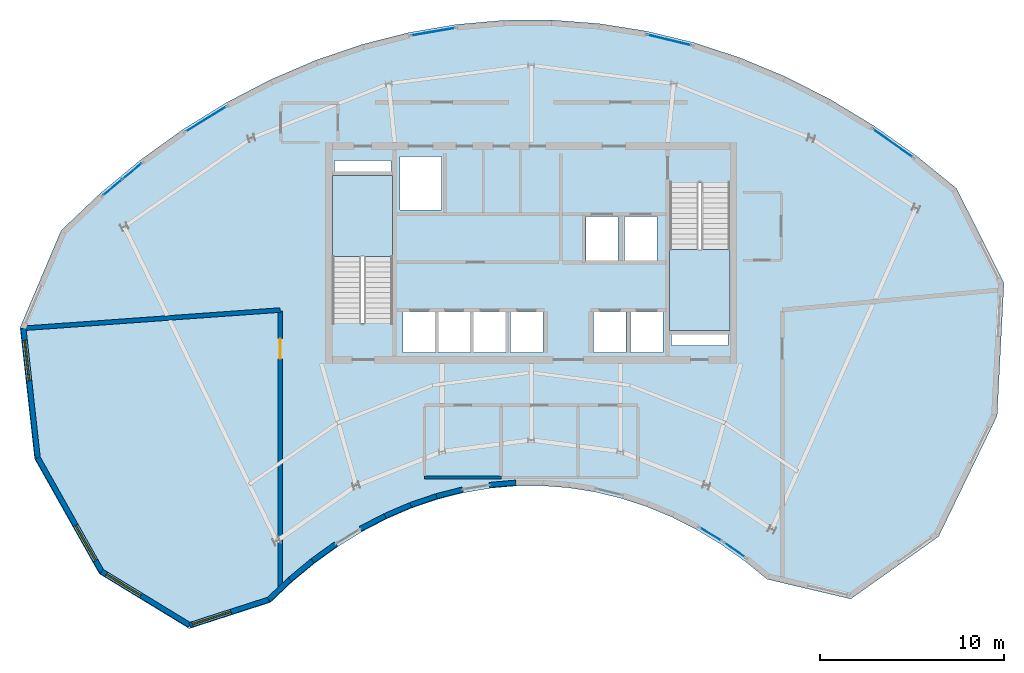
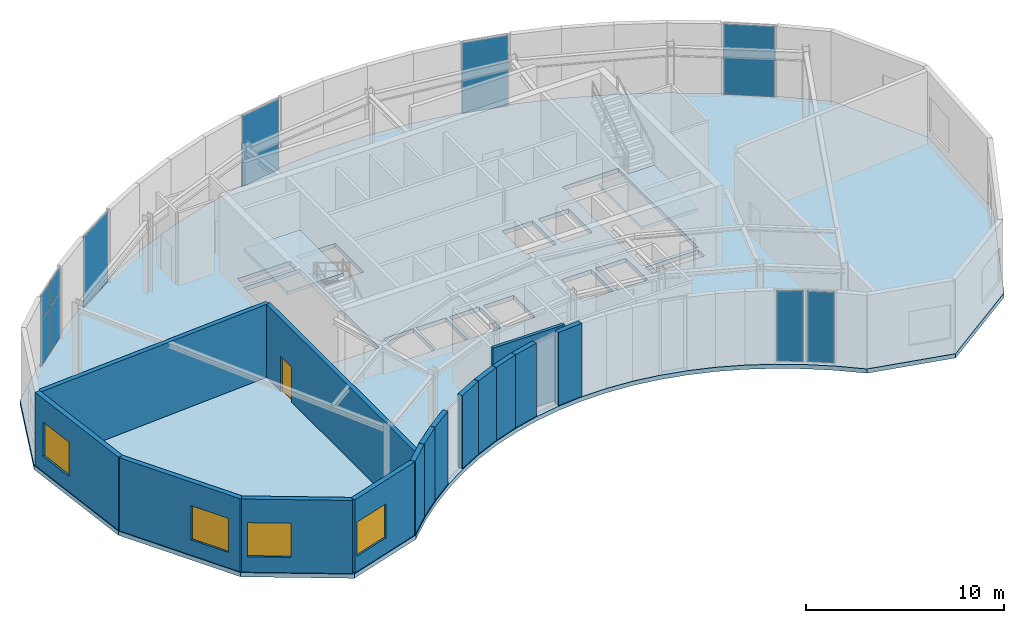
# One storey, part 5 of 10: 15 walls, 10 plates, 4 windows, 3 slabs, 1 door, 5 openings, 9 elements without a shape of their own.
"""IFC4 building model written with IfcOpenShell, lengths in metres."""

from ifc_helpers import new_model, si_unit, direction, frame, frame_2d, origin, origin_2d, place, context, subcontext, project, spatial, polyline, rectangle, outline, extrude, source, transform, mapped, material, layer, layer_set, type_object, type_shapes, element, fill, aggregate, save


model = new_model("IFC4")

# Units and contexts
model_context = context("Model", 3, precision=1e-05, world=origin(), true_north=direction((0.0, 1.0)))
body_context = subcontext(model_context, "Body", "Model", "MODEL_VIEW")
ifc_project = project(units=[si_unit("LENGTHUNIT", "METRE"), si_unit("AREAUNIT", "SQUARE_METRE"), si_unit("VOLUMEUNIT", "CUBIC_METRE"), si_unit("PLANEANGLEUNIT", "RADIAN"), si_unit("MASSUNIT", "GRAM", prefix="KILO")], contexts=[model_context])

# Site, building, storey
site_placement = place(None, origin())
site = spatial("IfcSite", under=ifc_project, at=site_placement, CompositionType="ELEMENT")
building_placement = place(site_placement, origin())
building = spatial("IfcBuilding", under=site, at=building_placement, Name="Breltana Convention Tower", CompositionType="ELEMENT")
storey_placement = place(building_placement, frame((0.0, 0.0, 307.800048828125)))
storey = spatial("IfcBuildingStorey", under=building, at=storey_placement, Name="L75", CompositionType="ELEMENT", Elevation=307.800048828125)

# Stair, slab
ifc_material_1 = material(Name="Concrete C40/50", Category="concrete")
stair_type = type_object("IfcStairType", Name="ST-DOG-1560-R171", PredefinedType="HALF_TURN_STAIR", material=ifc_material_1)
stair_1_placement = place(storey_placement, origin())
stair_1 = element("IfcStair", 1, at=stair_1_placement, inside=storey, type_object=stair_type, Name="L75 Protected Core Exit Stair ST-1", PredefinedType="HALF_TURN_STAIR")
ifc_layer_1 = layer(ifc_material_1, 0.199951171875, Name="Concrete C40/50")
ifc_layer_set_1 = layer_set([ifc_layer_1], Name="Concrete C40/50")
slab_type_1 = type_object("IfcSlabType", Name="SL-STAIR-LANDING-200", PredefinedType="LANDING", material=ifc_layer_set_1)
slab_1_placement = place(storey_placement, frame((0.0, 0.0, 2.199951171875)))
slab_1 = element("IfcSlab", 2, at=slab_1_placement, type_object=slab_type_1, Name="ST-1 landing 1", PredefinedType="LANDING", context=body_context, shape_type="SweptSolid", body=[
    extrude(outline(polyline([(40.469970703125, 66.0), (40.469970703125, 70.39990234375), (37.199951171875, 70.39990234375), (37.199951171875, 66.0), (40.469970703125, 66.0)])), origin(), (0.0, 0.0, 1.0), 0.199951171875),
])
aggregate(stair_1, [slab_1])

stair_2_placement = place(storey_placement, origin())
stair_2 = element("IfcStair", 3, at=stair_2_placement, inside=storey, type_object=stair_type, Name="L75 Protected Core Exit Stair ST-2", PredefinedType="HALF_TURN_STAIR")
slab_2_placement = place(storey_placement, frame((0.0, 0.0, 2.199951171875)))
slab_2 = element("IfcSlab", 4, at=slab_2_placement, type_object=slab_type_1, Name="ST-2 landing 1", PredefinedType="LANDING", context=body_context, shape_type="SweptSolid", body=[
    extrude(outline(polyline([(55.530029296875, 66.39990234375), (55.530029296875, 62.0), (58.800048828125, 62.0), (58.800048828125, 66.39990234375), (55.530029296875, 66.39990234375)])), origin(), (0.0, 0.0, 1.0), 0.199951171875),
])
aggregate(stair_2, [slab_2])

# Slab
ifc_layer_2 = layer(ifc_material_1, 0.260009765625, Name="Concrete C40/50")
ifc_layer_set_2 = layer_set([ifc_layer_2], Name="Concrete C40/50")
slab_type_2 = type_object("IfcSlabType", Name="SL-UPP-260", PredefinedType="FLOOR", material=ifc_layer_set_2)
slab_3_placement = place(storey_placement, frame((0.0, 0.0, -0.260009765625)))
element("IfcSlab", 5, at=slab_3_placement, inside=storey, type_object=slab_type_2, Name="L75 Suspended Structural Floor Slab", PredefinedType="FLOOR", context=body_context, shape_type="SweptSolid", body=[
    extrude(outline(polyline([(71.119873046875, 69.7060546875), (68.9033203125, 71.50830078125), (66.60888671875, 73.126220703125), (64.244873046875, 74.552978515625), (61.8203125, 75.783935546875), (59.34423828125, 76.814208984375), (56.825927734375, 77.639892578125), (54.2744140625, 78.25830078125), (51.69970703125, 78.66650390625), (49.111083984375, 78.863525390625), (46.5185546875, 78.848388671875), (43.931396484375, 78.62109375), (41.359375, 78.1826171875), (38.81201171875, 77.53466796875), (36.29931640625, 76.679443359375), (33.829833984375, 75.620361328125), (31.41357421875, 74.361083984375), (29.058837890625, 72.906494140625), (26.77490234375, 71.26220703125), (24.5703125, 69.433837890625), (22.452880859375, 67.4287109375), (20.216796875, 62.142578125), (21.007080078125, 55.0126953125), (24.52197265625, 48.762451171875), (29.418701171875, 45.779296875), (33.827392578125, 47.202392578125), (35.001953125, 48.31494140625), (36.22509765625, 49.3291015625), (37.491943359375, 50.241455078125), (38.79833984375, 51.04833984375), (40.138916015625, 51.746826171875), (41.5087890625, 52.33447265625), (42.90283203125, 52.80908203125), (44.31591796875, 53.16845703125), (45.742919921875, 53.41162109375), (47.177978515625, 53.537841796875), (48.616455078125, 53.546142578125), (50.052490234375, 53.43701171875), (51.48095703125, 53.21044921875), (52.896240234375, 52.867431640625), (54.29345703125, 52.4091796875), (55.6669921875, 51.837646484375), (57.01220703125, 51.15478515625), (58.323486328125, 50.36328125), (59.5966796875, 49.4658203125), (60.826171875, 48.4658203125), (65.370849609375, 47.394775390625), (70.1455078125, 50.789306640625), (73.326416015625, 57.352783203125), (73.698486328125, 64.57861328125), (71.119873046875, 69.7060546875)]), holes=[polyline([(37.199951171875, 62.385009765625), (40.469970703125, 62.385009765625), (40.469970703125, 70.39990234375), (37.199951171875, 70.39990234375), (37.199951171875, 62.385009765625)]), polyline([(55.530029296875, 62.0), (58.800048828125, 62.0), (58.800048828125, 70.014892578125), (55.530029296875, 70.014892578125), (55.530029296875, 62.0)]), polyline([(41.0400390625, 60.800048828125), (42.800048828125, 60.800048828125), (42.800048828125, 62.97998046875), (41.0400390625, 62.97998046875), (41.0400390625, 60.800048828125)]), polyline([(42.93994140625, 60.800048828125), (44.699951171875, 60.800048828125), (44.699951171875, 62.97998046875), (42.93994140625, 62.97998046875), (42.93994140625, 60.800048828125)]), polyline([(44.8701171875, 60.800048828125), (46.6298828125, 60.800048828125), (46.6298828125, 62.97998046875), (44.8701171875, 62.97998046875), (44.8701171875, 60.800048828125)]), polyline([(46.8701171875, 60.800048828125), (48.6298828125, 60.800048828125), (48.6298828125, 62.97998046875), (46.8701171875, 62.97998046875), (46.8701171875, 60.800048828125)]), polyline([(51.39990234375, 60.800048828125), (53.159912109375, 60.800048828125), (53.159912109375, 62.97998046875), (51.39990234375, 62.97998046875), (51.39990234375, 60.800048828125)]), polyline([(53.39990234375, 60.800048828125), (55.159912109375, 60.800048828125), (55.159912109375, 62.97998046875), (53.39990234375, 62.97998046875), (53.39990234375, 60.800048828125)]), polyline([(50.969970703125, 65.800048828125), (52.72998046875, 65.800048828125), (52.72998046875, 68.179931640625), (50.969970703125, 68.179931640625), (50.969970703125, 65.800048828125)]), polyline([(53.070068359375, 65.800048828125), (54.830078125, 65.800048828125), (54.830078125, 68.179931640625), (53.070068359375, 68.179931640625), (53.070068359375, 65.800048828125)]), polyline([(40.8798828125, 68.550048828125), (43.1201171875, 68.550048828125), (43.1201171875, 71.449951171875), (40.8798828125, 71.449951171875), (40.8798828125, 68.550048828125)]), polyline([(37.300048828125, 70.60009765625), (40.3798828125, 70.60009765625), (40.3798828125, 71.219970703125), (37.300048828125, 71.219970703125), (37.300048828125, 70.60009765625)]), polyline([(55.6201171875, 61.179931640625), (58.699951171875, 61.179931640625), (58.699951171875, 61.800048828125), (55.6201171875, 61.800048828125), (55.6201171875, 61.179931640625)])]), origin(), (0.0, 0.0, 1.0), 0.260009765625),
])

# Curtain wall, plate
ifc_material_2 = material(Name="Aluminium Anodised Bronze Frame", Category="aluminium")
ifc_layer_3 = layer(ifc_material_2, 0.18994140625, Name="Aluminium Anodised Bronze Frame")
ifc_layer_set_3 = layer_set([ifc_layer_3], Name="Aluminium Anodised Bronze Frame")
curtain_wall_type_1 = type_object("IfcCurtainWallType", Name="CW-SYS-1", PredefinedType="NOTDEFINED", material=ifc_layer_set_3)
curtain_wall_1_placement = place(storey_placement, origin())
curtain_wall_1 = element("IfcCurtainWall", 6, at=curtain_wall_1_placement, inside=storey, type_object=curtain_wall_type_1, Name="L75 inner south-court glazing 1", PredefinedType="NOTDEFINED")
ifc_material_3 = material(Name="Glass Low-E Double Glazing", Category="glass")
ifc_layer_4 = layer(ifc_material_3, 0.028076171875, Name="Glass Low-E Double Glazing")
ifc_layer_set_4 = layer_set([ifc_layer_4], Name="Glass Low-E Double Glazing")
plate_type_1 = type_object("IfcPlateType", Name="CWP-IGU-28", PredefinedType="CURTAIN_PANEL", material=ifc_layer_set_4)
shared_shape_1 = source(origin(), body_context, "Body", "SweptSolid", [
    extrude(rectangle(XDim=1.3974609375, YDim=0.028076171875, at=origin_2d()), origin(), (0.0, 0.0, 1.0), 4.340087890625),
])
plate_1_placement = place(storey_placement, frame((59.063720703125, 50.0615234375, 0.080078125), z_axis=(0.0, 0.0, 1.0), x_axis=(-0.817327132857, 0.576173895534, 0.0)))
plate_1 = element("IfcPlate", 7, at=plate_1_placement, type_object=plate_type_1, Name="CW-01 panel 1.1", PredefinedType="CURTAIN_PANEL", context=body_context, shape_type="MappedRepresentation", body=[
    mapped(shared_shape_1, transform((0.0, 0.0, 0.0), scale=1.0)),
])
aggregate(curtain_wall_1, [plate_1])

curtain_wall_2_placement = place(storey_placement, origin())
curtain_wall_2 = element("IfcCurtainWall", 8, at=curtain_wall_2_placement, inside=storey, type_object=curtain_wall_type_1, Name="L75 inner south-court glazing 2", PredefinedType="NOTDEFINED")
shared_shape_2 = source(origin(), body_context, "Body", "SweptSolid", [
    extrude(rectangle(XDim=1.371826171875, YDim=0.028076171875, at=origin_2d()), origin(), (0.0, 0.0, 1.0), 4.340087890625),
])
plate_2_placement = place(storey_placement, frame((57.760986328125, 50.9130859375, 0.080078125), z_axis=(0.0, 0.0, 1.0), x_axis=(-0.856090059164, 0.516826673654, 0.0)))
plate_2 = element("IfcPlate", 9, at=plate_2_placement, type_object=plate_type_1, Name="CW-01 panel 1.1", PredefinedType="CURTAIN_PANEL", context=body_context, shape_type="MappedRepresentation", body=[
    mapped(shared_shape_2, transform((0.0, 0.0, 0.0), scale=1.0)),
])
aggregate(curtain_wall_2, [plate_2])

# Curtain wall, plates
ifc_layer_5 = layer(ifc_material_2, 0.239990234375, Name="Aluminium Anodised Bronze Frame")
ifc_layer_set_5 = layer_set([ifc_layer_5], Name="Aluminium Anodised Bronze Frame")
curtain_wall_type_2 = type_object("IfcCurtainWallType", Name="CW-SYS-6", PredefinedType="NOTDEFINED", material=ifc_layer_set_5)
curtain_wall_3_placement = place(storey_placement, origin())
curtain_wall_3 = element("IfcCurtainWall", 10, at=curtain_wall_3_placement, inside=storey, type_object=curtain_wall_type_2, Name="L75 outer double-skin inner glazing 1", PredefinedType="NOTDEFINED")
ifc_layer_6 = layer(ifc_material_3, 0.035888671875, Name="Glass Low-E Double Glazing")
ifc_layer_set_6 = layer_set([ifc_layer_6], Name="Glass Low-E Double Glazing")
plate_type_2 = type_object("IfcPlateType", Name="CWP-IGU-36", PredefinedType="CURTAIN_PANEL", material=ifc_layer_set_6)
shared_shape_3 = source(origin(), body_context, "Body", "SweptSolid", [
    extrude(rectangle(XDim=1.305908203125, YDim=0.035888671875, at=origin_2d()), origin(), (0.0, 0.0, 1.0), 2.804931640625),
])
plate_3_placement = place(storey_placement, frame((25.254150390625, 69.76708984375, 0.080078125), z_axis=(0.0, 0.0, 1.0), x_axis=(0.76977098678, 0.638320160979, 0.0)))
plate_3 = element("IfcPlate", 11, at=plate_3_placement, type_object=plate_type_2, Name="CW-06 panel 1.1", PredefinedType="CURTAIN_PANEL", context=body_context, shape_type="MappedRepresentation", body=[
    mapped(shared_shape_3, transform((0.0, 0.0, 0.0), scale=1.0)),
])
plate_4_placement = place(storey_placement, frame((26.321044921875, 70.651611328125, 0.080078125), z_axis=(0.0, 0.0, 1.0), x_axis=(0.76977098678, 0.638320160979, 0.0)))
plate_4 = element("IfcPlate", 12, at=plate_4_placement, type_object=plate_type_2, Name="CW-06 panel 2.1", PredefinedType="CURTAIN_PANEL", context=body_context, shape_type="MappedRepresentation", body=[
    mapped(shared_shape_3, transform((0.0, 0.0, 0.0), scale=1.0)),
])
shared_shape_4 = source(origin(), body_context, "Body", "SweptSolid", [
    extrude(rectangle(XDim=1.305908203125, YDim=0.035888671875, at=origin_2d()), origin(), (0.0, 0.0, 1.0), 1.455078125),
])
plate_5_placement = place(storey_placement, frame((25.254150390625, 69.76708984375, 2.96484375), z_axis=(0.0, 0.0, 1.0), x_axis=(0.76977098678, 0.638320160979, 0.0)))
plate_5 = element("IfcPlate", 13, at=plate_5_placement, type_object=plate_type_2, Name="CW-06 panel 1.2", PredefinedType="CURTAIN_PANEL", context=body_context, shape_type="MappedRepresentation", body=[
    mapped(shared_shape_4, transform((0.0, 0.0, 0.0), scale=1.0)),
])
plate_6_placement = place(storey_placement, frame((26.321044921875, 70.651611328125, 2.96484375), z_axis=(0.0, 0.0, 1.0), x_axis=(0.76977098678, 0.638320160979, 0.0)))
plate_6 = element("IfcPlate", 14, at=plate_6_placement, type_object=plate_type_2, Name="CW-06 panel 2.2", PredefinedType="CURTAIN_PANEL", context=body_context, shape_type="MappedRepresentation", body=[
    mapped(shared_shape_4, transform((0.0, 0.0, 0.0), scale=1.0)),
])
aggregate(curtain_wall_3, [plate_3, plate_5, plate_4, plate_6])

# Curtain wall, plate
curtain_wall_4_placement = place(storey_placement, origin())
curtain_wall_4 = element("IfcCurtainWall", 15, at=curtain_wall_4_placement, inside=storey, type_object=curtain_wall_type_2, Name="L75 outer double-skin inner glazing 2", PredefinedType="NOTDEFINED")
shared_shape_5 = source(origin(), body_context, "Body", "SweptSolid", [
    extrude(rectangle(XDim=2.5947265625, YDim=0.035888671875, at=origin_2d()), origin(), (0.0, 0.0, 1.0), 4.340087890625),
])
plate_7_placement = place(storey_placement, frame((30.330810546875, 73.480712890625, 0.080078125), z_axis=(0.0, 0.0, 1.0), x_axis=(0.850768399946, 0.525540797325, 0.0)))
plate_7 = element("IfcPlate", 16, at=plate_7_placement, type_object=plate_type_2, Name="CW-06 panel 1.1", PredefinedType="CURTAIN_PANEL", context=body_context, shape_type="MappedRepresentation", body=[
    mapped(shared_shape_5, transform((0.0, 0.0, 0.0), scale=1.0)),
])
aggregate(curtain_wall_4, [plate_7])

curtain_wall_5_placement = place(storey_placement, origin())
curtain_wall_5 = element("IfcCurtainWall", 17, at=curtain_wall_5_placement, inside=storey, type_object=curtain_wall_type_2, Name="L75 outer double-skin inner glazing 3", PredefinedType="NOTDEFINED")
shared_shape_6 = source(origin(), body_context, "Body", "SweptSolid", [
    extrude(rectangle(XDim=2.434326171875, YDim=0.035888671875, at=origin_2d()), origin(), (0.0, 0.0, 1.0), 4.340087890625),
])
plate_8_placement = place(storey_placement, frame((42.675537109375, 78.224365234375, 0.080078125), z_axis=(0.0, 0.0, 1.0), x_axis=(0.985784110175, 0.168016928095, 0.0)))
plate_8 = element("IfcPlate", 18, at=plate_8_placement, type_object=plate_type_2, Name="CW-06 panel 1.1", PredefinedType="CURTAIN_PANEL", context=body_context, shape_type="MappedRepresentation", body=[
    mapped(shared_shape_6, transform((0.0, 0.0, 0.0), scale=1.0)),
])
aggregate(curtain_wall_5, [plate_8])

curtain_wall_6_placement = place(storey_placement, origin())
curtain_wall_6 = element("IfcCurtainWall", 19, at=curtain_wall_6_placement, inside=storey, type_object=curtain_wall_type_2, Name="L75 outer double-skin inner glazing 4", PredefinedType="NOTDEFINED")
shared_shape_7 = source(origin(), body_context, "Body", "SweptSolid", [
    extrude(rectangle(XDim=2.450927734375, YDim=0.035888671875, at=origin_2d()), origin(), (0.0, 0.0, 1.0), 4.340087890625),
])
plate_9_placement = place(storey_placement, frame((55.5078125, 77.774169921875, 0.080078125), z_axis=(0.0, 0.0, 1.0), x_axis=(0.971870033767, -0.235517807109, 0.0)))
plate_9 = element("IfcPlate", 20, at=plate_9_placement, type_object=plate_type_2, Name="CW-06 panel 1.1", PredefinedType="CURTAIN_PANEL", context=body_context, shape_type="MappedRepresentation", body=[
    mapped(shared_shape_7, transform((0.0, 0.0, 0.0), scale=1.0)),
])
aggregate(curtain_wall_6, [plate_9])

curtain_wall_7_placement = place(storey_placement, origin())
curtain_wall_7 = element("IfcCurtainWall", 21, at=curtain_wall_7_placement, inside=storey, type_object=curtain_wall_type_2, Name="L75 outer double-skin inner glazing 5", PredefinedType="NOTDEFINED")
shared_shape_8 = source(origin(), body_context, "Body", "SweptSolid", [
    extrude(rectangle(XDim=2.634765625, YDim=0.035888671875, at=origin_2d()), origin(), (0.0, 0.0, 1.0), 4.340087890625),
])
plate_10_placement = place(storey_placement, frame((67.652587890625, 72.170166015625, 0.080078125), z_axis=(0.0, 0.0, 1.0), x_axis=(0.817284057658, -0.576234994683, 0.0)))
plate_10 = element("IfcPlate", 22, at=plate_10_placement, type_object=plate_type_2, Name="CW-06 panel 1.1", PredefinedType="CURTAIN_PANEL", context=body_context, shape_type="MappedRepresentation", body=[
    mapped(shared_shape_8, transform((0.0, 0.0, 0.0), scale=1.0)),
])
aggregate(curtain_wall_7, [plate_10])

# Walls
ifc_material_4 = material(Name="Limestone Buff Insulated Wall", Category="masonry")
ifc_layer_7 = layer(ifc_material_4, 0.280029296875, Name="Limestone Buff Insulated Wall")
ifc_layer_set_7 = layer_set([ifc_layer_7], Name="Limestone Buff Insulated Wall")
wall_type_1 = type_object("IfcWallType", Name="WL-EXT-NOSE-280", PredefinedType="SOLIDWALL", material=ifc_layer_set_7)
shared_shape_9 = source(origin(), body_context, "Body", "SweptSolid", [
    extrude(rectangle(XDim=1.44091796875, YDim=0.280029296875, at=frame_2d((0.720458984375, 0.0))), origin(), (0.0, 0.0, 1.0), 4.5),
])
wall_1_placement = place(storey_placement, frame((47.162353515625, 53.717041015625, 0.0), z_axis=(0.0, 0.0, 1.0), x_axis=(-0.99617032352, -0.087433898101, 0.0)))
element("IfcWall", 23, at=wall_1_placement, inside=storey, type_object=wall_type_1, Name="L75 curved limestone nose wall E13", PredefinedType="SOLIDWALL", context=body_context, shape_type="MappedRepresentation", body=[
    mapped(shared_shape_9, transform((0.0, 0.0, 0.0), scale=1.0)),
])
shared_shape_10 = source(origin(), body_context, "Body", "SweptSolid", [
    extrude(rectangle(XDim=1.4580078125, YDim=0.280029296875, at=frame_2d((0.72900390625, 0.0))), origin(), (0.0, 0.0, 1.0), 4.5),
])
wall_2_placement = place(storey_placement, frame((44.271484375, 53.343017578125, 0.0), z_axis=(0.0, 0.0, 1.0), x_axis=(-0.969109544438, -0.246630677083, 0.0)))
element("IfcWall", 24, at=wall_2_placement, inside=storey, type_object=wall_type_1, Name="L75 curved limestone nose wall E14", PredefinedType="SOLIDWALL", context=body_context, shape_type="MappedRepresentation", body=[
    mapped(shared_shape_10, transform((0.0, 0.0, 0.0), scale=1.0)),
])
shared_shape_11 = source(origin(), body_context, "Body", "SweptSolid", [
    extrude(rectangle(XDim=1.47265625, YDim=0.280029296875, at=frame_2d((0.736328125, 0.0))), origin(), (0.0, 0.0, 1.0), 4.5),
])
wall_3_placement = place(storey_placement, frame((42.8447265625, 52.9794921875, 0.0), z_axis=(0.0, 0.0, 1.0), x_axis=(-0.946641296917, -0.322289086026, 0.0)))
element("IfcWall", 25, at=wall_3_placement, inside=storey, type_object=wall_type_1, Name="L75 curved limestone nose wall E15", PredefinedType="SOLIDWALL", context=body_context, shape_type="MappedRepresentation", body=[
    mapped(shared_shape_11, transform((0.0, 0.0, 0.0), scale=1.0)),
])
shared_shape_12 = source(origin(), body_context, "Body", "SweptSolid", [
    extrude(rectangle(XDim=1.490478515625, YDim=0.280029296875, at=frame_2d((0.7451171875, 0.0))), origin(), (0.0, 0.0, 1.0), 4.5),
])
wall_4_placement = place(storey_placement, frame((41.437744140625, 52.5, 0.0), z_axis=(0.0, 0.0, 1.0), x_axis=(-0.919009427656, -0.394235553799, 0.0)))
element("IfcWall", 26, at=wall_4_placement, inside=storey, type_object=wall_type_1, Name="L75 curved limestone nose wall E16", PredefinedType="SOLIDWALL", context=body_context, shape_type="MappedRepresentation", body=[
    mapped(shared_shape_12, transform((0.0, 0.0, 0.0), scale=1.0)),
])
shared_shape_13 = source(origin(), body_context, "Body", "SweptSolid", [
    extrude(rectangle(XDim=1.51171875, YDim=0.280029296875, at=frame_2d((0.755859375, 0.0))), origin(), (0.0, 0.0, 1.0), 4.5),
])
wall_5_placement = place(storey_placement, frame((40.0556640625, 51.906494140625, 0.0), z_axis=(0.0, 0.0, 1.0), x_axis=(-0.886841011195, -0.462074691865, 0.0)))
element("IfcWall", 27, at=wall_5_placement, inside=storey, type_object=wall_type_1, Name="L75 curved limestone nose wall E17", PredefinedType="SOLIDWALL", context=body_context, shape_type="MappedRepresentation", body=[
    mapped(shared_shape_13, transform((0.0, 0.0, 0.0), scale=1.0)),
])
shared_shape_14 = source(origin(), body_context, "Body", "SweptSolid", [
    extrude(rectangle(XDim=1.56103515625, YDim=0.280029296875, at=frame_2d((0.780517578125, 0.0))), origin(), (0.0, 0.0, 1.0), 4.5),
])
wall_6_placement = place(storey_placement, frame((37.38671875, 50.387451171875, 0.0), z_axis=(0.0, 0.0, 1.0), x_axis=(-0.81154027425, -0.584296485758, 0.0)))
element("IfcWall", 28, at=wall_6_placement, inside=storey, type_object=wall_type_1, Name="L75 curved limestone nose wall E18", PredefinedType="SOLIDWALL", context=body_context, shape_type="MappedRepresentation", body=[
    mapped(shared_shape_14, transform((0.0, 0.0, 0.0), scale=1.0)),
])
shared_shape_15 = source(origin(), body_context, "Body", "SweptSolid", [
    extrude(rectangle(XDim=1.5888671875, YDim=0.280029296875, at=frame_2d((0.79443359375, 0.0))), origin(), (0.0, 0.0, 1.0), 4.5),
])
wall_7_placement = place(storey_placement, frame((36.110107421875, 49.4677734375, 0.0), z_axis=(0.0, 0.0, 1.0), x_axis=(-0.769805836273, -0.63827813251, 0.0)))
element("IfcWall", 29, at=wall_7_placement, inside=storey, type_object=wall_type_1, Name="L75 curved limestone nose wall E19", PredefinedType="SOLIDWALL", context=body_context, shape_type="MappedRepresentation", body=[
    mapped(shared_shape_15, transform((0.0, 0.0, 0.0), scale=1.0)),
])
shared_shape_16 = source(origin(), body_context, "Body", "SweptSolid", [
    extrude(rectangle(XDim=1.576904296875, YDim=0.280029296875, at=frame_2d((0.78857421875, 0.0))), origin(), (0.0, 0.0, 1.0), 4.5),
])
wall_8_placement = place(storey_placement, frame((34.878173828125, 48.445556640625, 0.0), z_axis=(0.0, 0.0, 1.0), x_axis=(-0.726119464467, -0.687568558998, 0.0)))
element("IfcWall", 30, at=wall_8_placement, inside=storey, type_object=wall_type_1, Name="L75 curved limestone nose wall W1", PredefinedType="SOLIDWALL", context=body_context, shape_type="MappedRepresentation", body=[
    mapped(shared_shape_16, transform((0.0, 0.0, 0.0), scale=1.0)),
])

# Wall, opening, window
shared_shape_17 = source(origin(), body_context, "Body", "SweptSolid", [
    extrude(rectangle(XDim=4.50927734375, YDim=0.280029296875, at=frame_2d((2.254638671875, 0.0))), origin(), (0.0, 0.0, 1.0), 4.5),
])
wall_9_placement = place(storey_placement, frame((33.733154296875, 47.361328125, 0.0), z_axis=(0.0, 0.0, 1.0), x_axis=(-0.95162949292, -0.307247958828, 0.0)))
wall_9 = element("IfcWall", 31, at=wall_9_placement, inside=storey, type_object=wall_type_1, Name="L75 curved limestone nose wall W2", PredefinedType="SOLIDWALL", context=body_context, shape_type="MappedRepresentation", body=[
    mapped(shared_shape_17, transform((0.0, 0.0, 0.0), scale=1.0)),
])
opening_1_placement = place(wall_9_placement, frame((2.1494140625, 0.0, 0.949951171875)))
opening_1 = element("IfcOpeningElement", 32, at=opening_1_placement, cuts=wall_9, Name="Opening W-03", PredefinedType="OPENING", context=body_context, shape_type="SweptSolid", body=[
    extrude(rectangle(XDim=2.199951171875, YDim=2.10009765625, at=frame_2d((1.10009765625, 1.050048828125))), frame((0.0, 0.14990234375, 0.0), z_axis=(0.0, -1.0, 0.0), x_axis=(1.0, 0.0, 0.0)), (0.0, 0.0, 1.0), 0.300048828125),
])
ifc_material_5 = material(Name="Glass Low-E Insulated Window", Category="glass")
window_type = type_object("IfcWindowType", Name="WN-NOSE-2200X2100", PartitioningType="TRIPLE_PANEL_VERTICAL", PredefinedType="WINDOW", material=ifc_material_5)
shared_shape_18 = source(origin(), body_context, "Body", "SweptSolid", [
    extrude(rectangle(XDim=2.199951171875, YDim=2.10009765625, at=frame_2d((1.10009765625, 1.050048828125))), frame((0.0, 0.030029296875, 0.0), z_axis=(0.0, -1.0, 0.0), x_axis=(1.0, 0.0, 0.0)), (0.0, 0.0, 1.0), 0.06005859375),
])
type_shapes(window_type, [shared_shape_18])
window_1_placement = place(opening_1_placement, origin())
window_1 = element("IfcWindow", 33, at=window_1_placement, inside=storey, type_object=window_type, Name="L75 nose window W2", OverallHeight=2.10009765625, OverallWidth=2.199951171875, PartitioningType="TRIPLE_PANEL_VERTICAL", PredefinedType="WINDOW", context=body_context, shape_type="MappedRepresentation", body=[
    mapped(shared_shape_18, transform((0.0, 0.0, 0.0), scale=1.0)),
])
fill(opening_1, window_1)

shared_shape_19 = source(origin(), body_context, "Body", "SweptSolid", [
    extrude(rectangle(XDim=5.604248046875, YDim=0.280029296875, at=frame_2d((2.80224609375, 0.0))), origin(), (0.0, 0.0, 1.0), 4.5),
])
wall_10_placement = place(storey_placement, frame((29.44189453125, 45.975830078125, 0.0), z_axis=(0.0, 0.0, 1.0), x_axis=(-0.854002492971, 0.520268913158, 0.0)))
wall_10 = element("IfcWall", 34, at=wall_10_placement, inside=storey, type_object=wall_type_1, Name="L75 curved limestone nose wall W3", PredefinedType="SOLIDWALL", context=body_context, shape_type="MappedRepresentation", body=[
    mapped(shared_shape_19, transform((0.0, 0.0, 0.0), scale=1.0)),
])
opening_2_placement = place(wall_10_placement, frame((3.103271484375, 0.0, 0.949951171875)))
opening_2 = element("IfcOpeningElement", 35, at=opening_2_placement, cuts=wall_10, Name="Opening W-03", PredefinedType="OPENING", context=body_context, shape_type="SweptSolid", body=[
    extrude(rectangle(XDim=2.199951171875, YDim=2.10009765625, at=frame_2d((1.10009765625, 1.050048828125))), frame((0.0, 0.14990234375, 0.0), z_axis=(0.0, -1.0, 0.0), x_axis=(1.0, 0.0, 0.0)), (0.0, 0.0, 1.0), 0.300048828125),
])
window_2_placement = place(opening_2_placement, origin())
window_2 = element("IfcWindow", 36, at=window_2_placement, inside=storey, type_object=window_type, Name="L75 nose window W3", OverallHeight=2.10009765625, OverallWidth=2.199951171875, PartitioningType="TRIPLE_PANEL_VERTICAL", PredefinedType="WINDOW", context=body_context, shape_type="MappedRepresentation", body=[
    mapped(shared_shape_18, transform((0.0, 0.0, 0.0), scale=1.0)),
])
fill(opening_2, window_2)

shared_shape_20 = source(origin(), body_context, "Body", "SweptSolid", [
    extrude(rectangle(XDim=7.087158203125, YDim=0.280029296875, at=frame_2d((3.54345703125, 0.0))), origin(), (0.0, 0.0, 1.0), 4.5),
])
wall_11_placement = place(storey_placement, frame((24.65576171875, 48.8916015625, 0.0), z_axis=(0.0, 0.0, 1.0), x_axis=(-0.490158199368, 0.871633489256, 0.0)))
wall_11 = element("IfcWall", 37, at=wall_11_placement, inside=storey, type_object=wall_type_1, Name="L75 curved limestone nose wall W4", PredefinedType="SOLIDWALL", context=body_context, shape_type="MappedRepresentation", body=[
    mapped(shared_shape_20, transform((0.0, 0.0, 0.0), scale=1.0)),
])
opening_3_placement = place(wall_11_placement, frame((0.671875, 0.0, 0.949951171875)))
opening_3 = element("IfcOpeningElement", 38, at=opening_3_placement, cuts=wall_11, Name="Opening W-03", PredefinedType="OPENING", context=body_context, shape_type="SweptSolid", body=[
    extrude(rectangle(XDim=2.199951171875, YDim=2.10009765625, at=frame_2d((1.10009765625, 1.050048828125))), frame((0.0, 0.14990234375, 0.0), z_axis=(0.0, -1.0, 0.0), x_axis=(1.0, 0.0, 0.0)), (0.0, 0.0, 1.0), 0.300048828125),
])
window_3_placement = place(opening_3_placement, origin())
window_3 = element("IfcWindow", 39, at=window_3_placement, inside=storey, type_object=window_type, Name="L75 nose window W4", OverallHeight=2.10009765625, OverallWidth=2.199951171875, PartitioningType="TRIPLE_PANEL_VERTICAL", PredefinedType="WINDOW", context=body_context, shape_type="MappedRepresentation", body=[
    mapped(shared_shape_18, transform((0.0, 0.0, 0.0), scale=1.0)),
])
fill(opening_3, window_3)

shared_shape_21 = source(origin(), body_context, "Body", "SweptSolid", [
    extrude(rectangle(XDim=7.08984375, YDim=0.280029296875, at=frame_2d((3.544921875, 0.0))), origin(), (0.0, 0.0, 1.0), 4.5),
])
wall_12_placement = place(storey_placement, frame((21.181884765625, 55.069091796875, 0.0), z_axis=(0.0, 0.0, 1.0), x_axis=(-0.110159396922, 0.993913933532, 0.0)))
wall_12 = element("IfcWall", 40, at=wall_12_placement, inside=storey, type_object=wall_type_1, Name="L75 curved limestone nose wall W5", PredefinedType="SOLIDWALL", context=body_context, shape_type="MappedRepresentation", body=[
    mapped(shared_shape_21, transform((0.0, 0.0, 0.0), scale=1.0)),
])
opening_4_placement = place(wall_12_placement, frame((4.21728515625, 0.0, 0.949951171875)))
opening_4 = element("IfcOpeningElement", 41, at=opening_4_placement, cuts=wall_12, Name="Opening W-03", PredefinedType="OPENING", context=body_context, shape_type="SweptSolid", body=[
    extrude(rectangle(XDim=2.199951171875, YDim=2.10009765625, at=frame_2d((1.10009765625, 1.050048828125))), frame((0.0, 0.14990234375, 0.0), z_axis=(0.0, -1.0, 0.0), x_axis=(1.0, 0.0, 0.0)), (0.0, 0.0, 1.0), 0.300048828125),
])
window_4_placement = place(opening_4_placement, origin())
window_4 = element("IfcWindow", 42, at=window_4_placement, inside=storey, type_object=window_type, Name="L75 nose window W5", OverallHeight=2.10009765625, OverallWidth=2.199951171875, PartitioningType="TRIPLE_PANEL_VERTICAL", PredefinedType="WINDOW", context=body_context, shape_type="MappedRepresentation", body=[
    mapped(shared_shape_18, transform((0.0, 0.0, 0.0), scale=1.0)),
])
fill(opening_4, window_4)

# Walls
ifc_material_6 = material(Name="Cement Board Wet-Area Partition")
ifc_layer_8 = layer(ifc_material_6, 0.175048828125, Name="Cement Board Wet-Area Partition")
ifc_layer_set_8 = layer_set([ifc_layer_8], Name="Cement Board Wet-Area Partition")
wall_type_2 = type_object("IfcWallType", Name="WL-WET-175", PredefinedType="PARTITIONING", material=ifc_layer_set_8)
shared_shape_22 = source(origin(), body_context, "Body", "SweptSolid", [
    extrude(rectangle(XDim=4.176025390625, YDim=0.175048828125, at=frame_2d((2.087890625, 0.0))), origin(), (0.0, 0.0, 1.0), 4.5),
])
wall_13_placement = place(storey_placement, frame((42.199951171875, 54.0, 0.0), z_axis=(0.0, 0.0, 1.0), x_axis=(1.0, 0.0, 0.0)))
element("IfcWall", 43, at=wall_13_placement, inside=storey, type_object=wall_type_2, Name="L75 interior partition W-L75-WCM-S", PredefinedType="PARTITIONING", context=body_context, shape_type="MappedRepresentation", body=[
    mapped(shared_shape_22, transform((0.0, 0.0, 0.0), scale=1.0)),
])
ifc_material_7 = material(Name="Gypsum Acoustic Double Stud Wall")
ifc_layer_9 = layer(ifc_material_7, 0.25, Name="Gypsum Acoustic Double Stud Wall")
ifc_layer_set_9 = layer_set([ifc_layer_9], Name="Gypsum Acoustic Double Stud Wall")
wall_type_3 = type_object("IfcWallType", Name="WL-ACOUSTIC-250", PredefinedType="PARTITIONING", material=ifc_layer_set_9)
shared_shape_23 = source(origin(), body_context, "Body", "SweptSolid", [
    extrude(rectangle(XDim=13.8642578125, YDim=0.25, at=frame_2d((6.93212890625, 0.0))), origin(), (0.0, 0.0, 1.0), 4.5),
])
wall_14_placement = place(storey_placement, frame((20.531005859375, 62.114990234375, 0.0), z_axis=(0.0, 0.0, 1.0), x_axis=(0.997472447014, 0.071054327443, 0.0)))
element("IfcWall", 44, at=wall_14_placement, inside=storey, type_object=wall_type_3, Name="L75 interior partition W-L75-OGW-M", PredefinedType="PARTITIONING", context=body_context, shape_type="MappedRepresentation", body=[
    mapped(shared_shape_23, transform((0.0, 0.0, 0.0), scale=1.0)),
])

# Wall, opening, door
shared_shape_24 = source(origin(), body_context, "Body", "SweptSolid", [
    extrude(rectangle(XDim=15.081298828125, YDim=0.25, at=frame_2d((7.54052734375, 0.0))), origin(), (0.0, 0.0, 1.0), 4.5),
])
wall_15_placement = place(storey_placement, frame((34.360107421875, 47.96875, 0.0), z_axis=(0.0, 0.0, 1.0), x_axis=(0.0, 1.0, 0.0)))
wall_15 = element("IfcWall", 45, at=wall_15_placement, inside=storey, type_object=wall_type_3, Name="L75 interior partition W-L75-OGW1-D", PredefinedType="PARTITIONING", context=body_context, shape_type="MappedRepresentation", body=[
    mapped(shared_shape_24, transform((0.0, 0.0, 0.0), scale=1.0)),
])
opening_5_placement = place(wall_15_placement, frame((12.481201171875, 0.0, 0.0)))
opening_5 = element("IfcOpeningElement", 46, at=opening_5_placement, cuts=wall_15, Name="Opening D-12", PredefinedType="OPENING", context=body_context, shape_type="SweptSolid", body=[
    extrude(rectangle(XDim=1.10009765625, YDim=2.14990234375, at=frame_2d((0.550048828125, 1.074951171875))), frame((0.0, 0.135009765625, 0.0), z_axis=(0.0, -1.0, 0.0), x_axis=(1.0, 0.0, 0.0)), (0.0, 0.0, 1.0), 0.27001953125),
])
ifc_material_8 = material(Name="Timber Oak Acoustic Door", Category="wood")
door_type = type_object("IfcDoorType", Name="DR-INT-1100", OperationType="NOTDEFINED", PredefinedType="DOOR", material=ifc_material_8)
shared_shape_25 = source(origin(), body_context, "Body", "SweptSolid", [
    extrude(rectangle(XDim=1.10009765625, YDim=2.14990234375, at=frame_2d((0.550048828125, 1.074951171875))), frame((0.0, 0.02490234375, 0.0), z_axis=(0.0, -1.0, 0.0), x_axis=(1.0, 0.0, 0.0)), (0.0, 0.0, 1.0), 0.050048828125),
])
type_shapes(door_type, [shared_shape_25])
door_placement = place(opening_5_placement, origin())
door = element("IfcDoor", 47, at=door_placement, inside=storey, type_object=door_type, Name="L75 interior door D-L75-OGW1", OperationType="SINGLE_SWING_RIGHT", OverallHeight=2.14990234375, OverallWidth=1.10009765625, PredefinedType="DOOR", context=body_context, shape_type="MappedRepresentation", body=[
    mapped(shared_shape_25, transform((0.0, 0.0, 0.0), scale=1.0)),
])
fill(opening_5, door)

save(model, "model.ifc")
